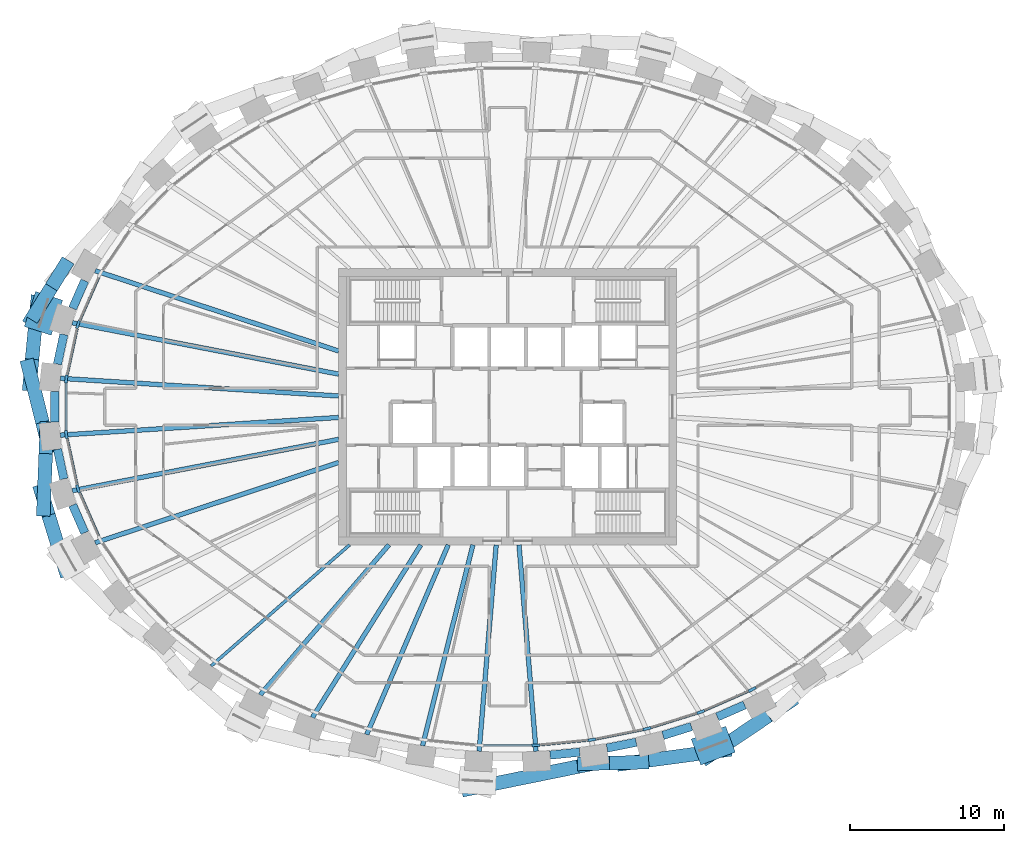
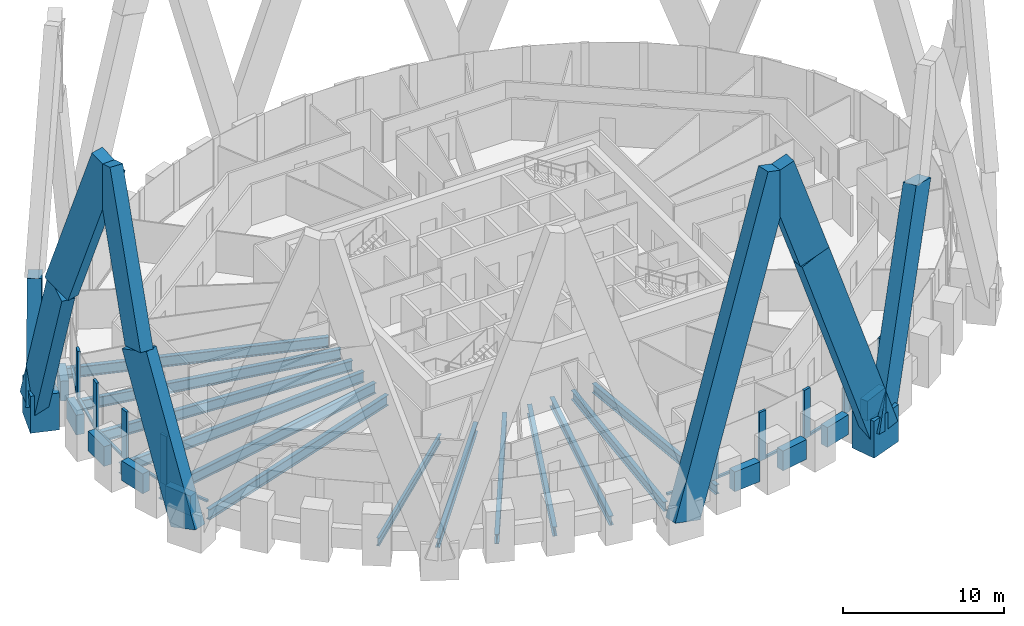
# One storey, part 2 of 13: 30 members, 22 beams, 1 element without a shape of its own.
"""IFC4 building model written with IfcOpenShell, lengths in metres."""

import ifcopenshell
import ifcopenshell.guid

model = None  # the IFC model being written
_history = None  # IfcOwnerHistory: only IFC2X3 demands one
_inside = {}  # id of a spatial element -> (the spatial element, [elements in it])
_under = {}  # id of a project, library or spatial element -> (it, [spatial elements below it])
_declared = {}  # id of a project -> (the project, [libraries it declares])
_typed = {}  # id of a type object -> (the type object, [elements of that type])
_made_of = {}  # id of a material, layer set ... -> (it, [elements and type objects made of it])


def new_model(schema):
    """Start an empty IFC model of exactly this schema.

    Asked for "IFC4X3", IfcOpenShell would pick the latest addendum, in which some entities
    have other attributes; the version numbers below select the first issue.
    IFC2X3 requires an IfcOwnerHistory on every rooted entity: one is made here for all.
    """
    global model, _history
    if schema == "IFC4X3":
        model = ifcopenshell.file(schema_version=(4, 3, 0, 0))
    else:
        model = ifcopenshell.file(schema=schema)
    _inside.clear()
    _under.clear()
    _declared.clear()
    _typed.clear()
    _made_of.clear()
    _history = None
    if model.schema == "IFC2X3":
        org = make("IfcOrganization", Name="unknown")
        user = make(
            "IfcPersonAndOrganization",
            ThePerson=make("IfcPerson", FamilyName="unknown"),
            TheOrganization=org,
        )
        app = make(
            "IfcApplication",
            ApplicationDeveloper=org,
            Version="unknown",
            ApplicationFullName="unknown",
            ApplicationIdentifier="unknown",
        )
        _history = make(
            "IfcOwnerHistory",
            OwningUser=user,
            OwningApplication=app,
            ChangeAction="ADDED",
            CreationDate=0,
        )
    return model


def make(cls, **values):
    """One entity of the class cls with the attributes given. An attribute that is None is left unset."""
    return model.create_entity(
        cls, **{name: value for name, value in values.items() if value is not None}
    )


def rooted(cls, **values):
    """An entity with a GlobalId (a new one), such as an element, a storey or a relation."""
    return make(cls, GlobalId=ifcopenshell.guid.new(), OwnerHistory=_history, **values)


def si_unit(unit_type, name, prefix=None):
    """IfcSIUnit, for example si_unit("LENGTHUNIT", "METRE", prefix="MILLI")."""
    return make("IfcSIUnit", UnitType=unit_type, Prefix=prefix, Name=name)


def assignment(units):
    """IfcUnitAssignment: the units of a project."""
    return None if units is None else make("IfcUnitAssignment", Units=units)


def point(xyz):
    """IfcCartesianPoint."""
    return None if xyz is None else make("IfcCartesianPoint", Coordinates=xyz)


def direction(xyz):
    """IfcDirection."""
    return None if xyz is None else make("IfcDirection", DirectionRatios=xyz)


def frame(location, z_axis=None, x_axis=None):
    """IfcAxis2Placement3D, a coordinate frame: its origin and axes. An axis left out is left unset."""
    return make(
        "IfcAxis2Placement3D",
        Location=point(location),
        Axis=direction(z_axis),
        RefDirection=direction(x_axis),
    )


def frame_2d(location, x_axis=None):
    """IfcAxis2Placement2D, a coordinate frame in the plane: its origin and x axis."""
    return make(
        "IfcAxis2Placement2D", Location=point(location), RefDirection=direction(x_axis)
    )


def origin():
    """The frame at (0, 0, 0) with its axes left unset."""
    return frame((0.0, 0.0, 0.0))


def origin_2d():
    """The frame at (0, 0) in the plane with its x axis left unset."""
    return frame_2d((0.0, 0.0))


def place(relative_to, where):
    """IfcLocalPlacement: puts the frame where relative to a parent placement (None: the world)."""
    return make(
        "IfcLocalPlacement", PlacementRelTo=relative_to, RelativePlacement=where
    )


def context(
    kind, dimensions, precision=None, world=None, true_north=None, identifier=None
):
    """IfcGeometricRepresentationContext, for example the 3D "Model" context."""
    return make(
        "IfcGeometricRepresentationContext",
        ContextIdentifier=identifier,
        ContextType=kind,
        CoordinateSpaceDimension=dimensions,
        Precision=precision,
        WorldCoordinateSystem=world,
        TrueNorth=true_north,
    )


def subcontext(parent, identifier, kind, view, scale=None):
    """IfcGeometricRepresentationSubContext, for example "Body" below "Model"."""
    return make(
        "IfcGeometricRepresentationSubContext",
        ContextIdentifier=identifier,
        ContextType=kind,
        ParentContext=parent,
        TargetScale=scale,
        TargetView=view,
    )


def project(units=None, contexts=None):
    """IfcProject with its units and contexts."""
    return rooted(
        "IfcProject",
        Name="project",
        RepresentationContexts=contexts,
        UnitsInContext=assignment(units),
    )


def spatial(cls, under=None, at=None, **own):
    """A site, building, storey or space (cls), placed at a placement, below another one or the project."""
    s = rooted(cls, ObjectPlacement=at, **own)
    if under is not None:
        _under.setdefault(under.id(), (under, []))[1].append(s)
    return s


def profile(cls, at=None, kind="AREA", **sizes):
    """A parametric profile (cls). Its sizes go by their IFC names, for example OverallWidth=200.0."""
    return make(cls, ProfileType=kind, Position=at, **sizes)


def rectangle(**sizes):
    """IfcRectangleProfileDef."""
    return profile("IfcRectangleProfileDef", **sizes)


def i_section(**sizes):
    """IfcIShapeProfileDef."""
    return profile("IfcIShapeProfileDef", **sizes)


def extrude(swept, where, along, depth):
    """IfcExtrudedAreaSolid: the profile swept, set in the frame where, extruded along a direction by depth."""
    return make(
        "IfcExtrudedAreaSolid",
        SweptArea=swept,
        Position=where,
        ExtrudedDirection=direction(along),
        Depth=depth,
    )


def shape(context_of_items, identifier, shape_type, items):
    """IfcShapeRepresentation: the items that make up one representation, for example the "Body"."""
    return make(
        "IfcShapeRepresentation",
        ContextOfItems=context_of_items,
        RepresentationIdentifier=identifier,
        RepresentationType=shape_type,
        Items=items,
    )


def source(mapping_origin, context_of_items, identifier, shape_type, items):
    """IfcRepresentationMap: a shape defined once, which mapped items show again and again."""
    return make(
        "IfcRepresentationMap",
        MappingOrigin=mapping_origin,
        MappedRepresentation=shape(context_of_items, identifier, shape_type, items),
    )


def transform(
    local_origin,
    x_axis=None,
    y_axis=None,
    z_axis=None,
    scale=None,
    scale2=None,
    scale3=None,
    uniform=True,
):
    """IfcCartesianTransformationOperator3D, or its non-uniform kind. x_axis, y_axis, z_axis: its Axis1, 2, 3."""
    if uniform:
        return make(
            "IfcCartesianTransformationOperator3D",
            Axis1=direction(x_axis),
            Axis2=direction(y_axis),
            LocalOrigin=point(local_origin),
            Scale=scale,
            Axis3=direction(z_axis),
        )
    return make(
        "IfcCartesianTransformationOperator3DnonUniform",
        Axis1=direction(x_axis),
        Axis2=direction(y_axis),
        LocalOrigin=point(local_origin),
        Scale=scale,
        Axis3=direction(z_axis),
        Scale2=scale2,
        Scale3=scale3,
    )


def mapped(mapping_source, mapping_target):
    """IfcMappedItem: shows the shape of a source again, moved by a transform."""
    return make(
        "IfcMappedItem", MappingSource=mapping_source, MappingTarget=mapping_target
    )


def material(Name=None, Category=None):
    """IfcMaterial."""
    return make("IfcMaterial", Name=Name, Category=Category)


def material_profile(
    of_material, cross_section, Name=None, Category=None, Priority=None
):
    """IfcMaterialProfile: a cross section and its material."""
    return make(
        "IfcMaterialProfile",
        Name=Name,
        Material=of_material,
        Profile=cross_section,
        Priority=Priority,
        Category=Category,
    )


def profile_set(profiles, Name=None, composite=None):
    """IfcMaterialProfileSet."""
    return make(
        "IfcMaterialProfileSet",
        Name=Name,
        MaterialProfiles=profiles,
        CompositeProfile=composite,
    )


def made_of(thing, what):
    """Note that an element or type object is made of a material, layer set ...; save() writes the relation."""
    if what is not None:
        _made_of.setdefault(what.id(), (what, []))[1].append(thing)
    return thing


def type_object(cls, material=None, **own):
    """A type object (cls), such as IfcWallType, which elements share."""
    return made_of(rooted(cls, **own), material)


def element(
    cls,
    number,
    at=None,
    inside=None,
    cuts=None,
    type_object=None,
    material=None,
    context=None,
    identifier="Body",
    shape_type=None,
    held_by="IfcProductDefinitionShape",
    body=None,
    shapes=None,
    **own,
):
    """One element of the class cls, such as IfcWall. Its Tag is "e" and its number.

    at: its placement. inside: the storey or other place that contains it. cuts: it is an
    opening in that element (IfcRelVoidsElement). A single representation is given by context,
    identifier, shape_type and body (its items); several are given by shapes. held_by: the class
    of the entity that holds the representations. save() writes the other relations.
    """
    e = rooted(cls, Tag="e%d" % number, ObjectPlacement=at, **own)
    if body is not None:
        shapes = [shape(context, identifier, shape_type, body)]
    if shapes is not None:
        e.Representation = make(held_by, Representations=shapes)
    if inside is not None:
        _inside.setdefault(inside.id(), (inside, []))[1].append(e)
    if cuts is not None:
        rooted(
            "IfcRelVoidsElement", RelatingBuildingElement=cuts, RelatedOpeningElement=e
        )
    if type_object is not None:
        _typed.setdefault(type_object.id(), (type_object, []))[1].append(e)
    return made_of(e, material)


def aggregate(whole, parts):
    """IfcRelAggregates: a whole, such as a stair, and the parts it consists of."""
    return rooted("IfcRelAggregates", RelatingObject=whole, RelatedObjects=parts)


def save(model, path):
    """Write the relations noted so far, then the file.

    IfcRelAggregates (storeys below a building ...), IfcRelContainedInSpatialStructure (elements
    in a storey), IfcRelDefinesByType, IfcRelAssociatesMaterial and IfcRelDeclares: one each for
    every whole, place, type object, material and project.
    """
    for whole, parts in _under.values():
        aggregate(whole, parts)
    for where, things in _inside.values():
        rooted(
            "IfcRelContainedInSpatialStructure",
            RelatedElements=things,
            RelatingStructure=where,
        )
    for kind, things in _typed.values():
        rooted("IfcRelDefinesByType", RelatedObjects=things, RelatingType=kind)
    for what, things in _made_of.values():
        rooted("IfcRelAssociatesMaterial", RelatedObjects=things, RelatingMaterial=what)
    for by, libraries in _declared.values():
        rooted("IfcRelDeclares", RelatingContext=by, RelatedDefinitions=libraries)
    model.write(path)


model = new_model("IFC4")

# Units and contexts
model_context = context("Model", 3, precision=1e-05, world=origin(), true_north=direction((0.0, 1.0)))
body_context = subcontext(model_context, "Body", "Model", "MODEL_VIEW")
ifc_project = project(units=[si_unit("LENGTHUNIT", "METRE"), si_unit("AREAUNIT", "SQUARE_METRE"), si_unit("VOLUMEUNIT", "CUBIC_METRE"), si_unit("PLANEANGLEUNIT", "RADIAN"), si_unit("MASSUNIT", "GRAM", prefix="KILO")], contexts=[model_context])

# Site, building, storey
site_placement = place(None, origin())
site = spatial("IfcSite", under=ifc_project, at=site_placement, CompositionType="ELEMENT")
building_placement = place(site_placement, origin())
building = spatial("IfcBuilding", under=site, at=building_placement, Name="Embergate Tower", CompositionType="ELEMENT")
storey_placement = place(building_placement, frame((0.0, 0.0, 316.89990234375)))
storey = spatial("IfcBuildingStorey", under=building, at=storey_placement, Name="L74", CompositionType="ELEMENT", Elevation=316.89990234375)

# Beams
ifc_material_1 = material(Name="Concrete C50", Category="concrete")
ifc_material_profile_1 = material_profile(ifc_material_1, rectangle(XDim=0.550048828125, YDim=1.5, at=origin_2d()), Name="RC 550x1500")
ifc_profile_set_1 = profile_set([ifc_material_profile_1], Name="Concrete C50")
beam_type_1 = type_object("IfcBeamType", Name="Spandrel beam RC 550x1500 C50", PredefinedType="BEAM", material=ifc_profile_set_1)
shared_shape_1 = source(origin(), body_context, "Body", "SweptSolid", [
    extrude(rectangle(XDim=0.550048828125, YDim=1.5, at=origin_2d()), origin(), (0.0, 0.0, 1.0), 1.970947265625),
])
for number, where, z_axis, x_axis, name in (
    (1, (-28.908935546875, 4.702880859375, 0.0), (-0.210078905476, -0.977684434505, 0.0), (0.977684434505, -0.210078905476, 0.0), "SPN-L74-20"),
    (2, (-29.322998046875, -2.77587890625, 0.0), (0.210078905476, -0.977684434505, 0.0), (0.977684434505, 0.210078905476, 0.0), "SPN-L74-22"),
):
    element("IfcBeam", number, at=place(storey_placement, frame(where, z_axis=z_axis, x_axis=x_axis)), inside=storey, type_object=beam_type_1, Name=name, PredefinedType="BEAM", context=body_context, shape_type="MappedRepresentation", body=[
        mapped(shared_shape_1, transform((0.0, 0.0, 0.0))),
    ])
shared_shape_2 = source(origin(), body_context, "Body", "SweptSolid", [
    extrude(rectangle(XDim=0.550048828125, YDim=1.5, at=origin_2d()), origin(), (0.0, 0.0, 1.0), 1.96435546875),
])
for number, where, z_axis, x_axis, name in (
    (3, (-27.547119140625, 8.2080078125, 0.0), (-0.401555432353, -0.915834720213, 0.0), (0.915834720213, -0.401555432353, 0.0), "SPN-L74-19"),
    (4, (-28.3359375, -6.408935546875, 0.0), (0.401555432353, -0.915834720213, 0.0), (0.915834720213, 0.401555432353, 0.0), "SPN-L74-23"),
):
    element("IfcBeam", number, at=place(storey_placement, frame(where, z_axis=z_axis, x_axis=x_axis)), inside=storey, type_object=beam_type_1, Name=name, PredefinedType="BEAM", context=body_context, shape_type="MappedRepresentation", body=[
        mapped(shared_shape_2, transform((0.0, 0.0, 0.0))),
    ])
shared_shape_3 = source(origin(), body_context, "Body", "SweptSolid", [
    extrude(rectangle(XDim=0.550048828125, YDim=1.5, at=origin_2d()), origin(), (0.0, 0.0, 1.0), 1.943603515625),
])
beam_1_placement = place(storey_placement, frame((13.660888671875, -20.205078125, 0.0), z_axis=(0.916367666651, 0.400337731818, 0.0), x_axis=(-0.400337731818, 0.916367666651, 0.0)))
element("IfcBeam", 5, at=beam_1_placement, inside=storey, type_object=beam_type_1, Name="SPN-L74-36", PredefinedType="BEAM", context=body_context, shape_type="MappedRepresentation", body=[
    mapped(shared_shape_3, transform((0.0, 0.0, 0.0))),
])
shared_shape_4 = source(origin(), body_context, "Body", "SweptSolid", [
    extrude(rectangle(XDim=0.550048828125, YDim=1.5, at=origin_2d()), origin(), (0.0, 0.0, 1.0), 1.940673828125),
])
beam_2_placement = place(storey_placement, frame((10.1220703125, -21.410888671875, 0.0), z_axis=(0.954797285525, 0.297257705625, 0.0), x_axis=(-0.297257705625, 0.954797285525, 0.0)))
element("IfcBeam", 6, at=beam_2_placement, inside=storey, type_object=beam_type_1, Name="SPN-L74-35", PredefinedType="BEAM", context=body_context, shape_type="MappedRepresentation", body=[
    mapped(shared_shape_4, transform((0.0, 0.0, 0.0))),
])
shared_shape_5 = source(origin(), body_context, "Body", "SweptSolid", [
    extrude(rectangle(XDim=0.550048828125, YDim=1.5, at=origin_2d()), origin(), (0.0, 0.0, 1.0), 1.93994140625),
])
beam_3_placement = place(storey_placement, frame((6.47607421875, -22.238037109375, 0.0), z_axis=(0.980410889527, 0.1969631633, 0.0), x_axis=(-0.1969631633, 0.980410889527, 0.0)))
element("IfcBeam", 7, at=beam_3_placement, inside=storey, type_object=beam_type_1, Name="SPN-L74-34", PredefinedType="BEAM", context=body_context, shape_type="MappedRepresentation", body=[
    mapped(shared_shape_5, transform((0.0, 0.0, 0.0))),
])
shared_shape_6 = source(origin(), body_context, "Body", "SweptSolid", [
    extrude(rectangle(XDim=0.550048828125, YDim=1.5, at=origin_2d()), origin(), (0.0, 0.0, 1.0), 1.938232421875),
])
beam_4_placement = place(storey_placement, frame((2.76708984375, -22.693115234375, 0.0), z_axis=(0.995174653714, 0.098119358973, 0.0), x_axis=(-0.098119358973, 0.995174653714, 0.0)))
element("IfcBeam", 8, at=beam_4_placement, inside=storey, type_object=beam_type_1, Name="SPN-L74-33", PredefinedType="BEAM", context=body_context, shape_type="MappedRepresentation", body=[
    mapped(shared_shape_6, transform((0.0, 0.0, 0.0))),
])
shared_shape_7 = source(origin(), body_context, "Body", "SweptSolid", [
    extrude(rectangle(XDim=0.550048828125, YDim=1.5, at=origin_2d()), origin(), (0.0, 0.0, 1.0), 1.97216796875),
])
beam_5_placement = place(storey_placement, frame((-29.513916015625, 0.986083984375, 0.0), z_axis=(0.0, -1.0, 0.0), x_axis=(1.0, 0.0, 0.0)))
element("IfcBeam", 9, at=beam_5_placement, inside=storey, type_object=beam_type_1, Name="SPN-L74-21", PredefinedType="BEAM", context=body_context, shape_type="MappedRepresentation", body=[
    mapped(shared_shape_7, transform((0.0, 0.0, 0.0))),
])
ifc_material_2 = material(Name="Steel Q355B", Category="steel")
ifc_material_profile_2 = material_profile(ifc_material_2, i_section(OverallWidth=0.300048828125, OverallDepth=0.800048828125, WebThickness=0.013916015625, FlangeThickness=0.02587890625, FilletRadius=0.028076171875, at=origin_2d()), Name="HN 800x300x14x26")
ifc_profile_set_2 = profile_set([ifc_material_profile_2], Name="Steel Q355 grade B")
beam_type_2 = type_object("IfcBeamType", Name="Radial girder HN 800x300x14x26", PredefinedType="BEAM", material=ifc_profile_set_2)
shared_shape_8 = source(origin(), body_context, "Body", "SweptSolid", [
    extrude(i_section(OverallWidth=0.300048828125, OverallDepth=0.800048828125, WebThickness=0.013916015625, FlangeThickness=0.02587890625, FilletRadius=0.028076171875, at=origin_2d()), origin(), (0.0, 0.0, 1.0), 18.175537109375),
])
for number, where, z_axis, x_axis, name in (
    (10, (-29.138916015625, 1.85107421875, -0.599853515625), (0.997988982715, -0.063387620085, 0.0), (0.063387620085, 0.997988982715, 0.0), "GIR-L74-21"),
    (11, (-29.138916015625, -1.85107421875, -0.599853515625), (0.997988982715, 0.063387620085, 0.0), (-0.063387620085, 0.997988982715, 0.0), "GIR-L74-22"),
):
    element("IfcBeam", number, at=place(storey_placement, frame(where, z_axis=z_axis, x_axis=x_axis)), inside=storey, type_object=beam_type_2, Name=name, PredefinedType="BEAM", context=body_context, shape_type="MappedRepresentation", body=[
        mapped(shared_shape_8, transform((0.0, 0.0, 0.0))),
    ])
shared_shape_9 = source(origin(), body_context, "Body", "SweptSolid", [
    extrude(i_section(OverallWidth=0.300048828125, OverallDepth=0.800048828125, WebThickness=0.013916015625, FlangeThickness=0.02587890625, FilletRadius=0.028076171875, at=origin_2d()), origin(), (0.0, 0.0, 1.0), 17.68017578125),
])
for number, where, z_axis, x_axis, name in (
    (12, (-28.360107421875, 5.470947265625, -0.599853515625), (0.981897251482, -0.189414327683, 0.0), (0.189414327683, 0.981897251482, 0.0), "GIR-L74-20"),
    (13, (-28.360107421875, -5.470947265625, -0.599853515625), (0.981897251482, 0.189414327683, 0.0), (-0.189414327683, 0.981897251482, 0.0), "GIR-L74-23"),
):
    element("IfcBeam", number, at=place(storey_placement, frame(where, z_axis=z_axis, x_axis=x_axis)), inside=storey, type_object=beam_type_2, Name=name, PredefinedType="BEAM", context=body_context, shape_type="MappedRepresentation", body=[
        mapped(shared_shape_9, transform((0.0, 0.0, 0.0))),
    ])
shared_shape_10 = source(origin(), body_context, "Body", "SweptSolid", [
    extrude(i_section(OverallWidth=0.300048828125, OverallDepth=0.800048828125, WebThickness=0.013916015625, FlangeThickness=0.02587890625, FilletRadius=0.028076171875, at=origin_2d()), origin(), (0.0, 0.0, 1.0), 16.713134765625),
])
for number, where, z_axis, x_axis, name in (
    (14, (-26.8720703125, 8.863037109375, -0.599853515625), (0.949676282781, -0.313233072843, 0.0), (0.313233072843, 0.949676282781, 0.0), "GIR-L74-19"),
    (15, (-26.8720703125, -8.863037109375, -0.599853515625), (0.949676282781, 0.313233072843, 0.0), (-0.313233072843, 0.949676282781, 0.0), "GIR-L74-24"),
):
    element("IfcBeam", number, at=place(storey_placement, frame(where, z_axis=z_axis, x_axis=x_axis)), inside=storey, type_object=beam_type_2, Name=name, PredefinedType="BEAM", context=body_context, shape_type="MappedRepresentation", body=[
        mapped(shared_shape_10, transform((0.0, 0.0, 0.0))),
    ])
ifc_material_profile_3 = material_profile(ifc_material_2, i_section(OverallWidth=0.199951171875, OverallDepth=0.60009765625, WebThickness=0.010986328125, FlangeThickness=0.01708984375, FilletRadius=0.012939453125, at=origin_2d()), Name="HN 600x200x11x17")
ifc_profile_set_3 = profile_set([ifc_material_profile_3], Name="Steel Q355 grade B")
beam_type_3 = type_object("IfcBeamType", Name="Radial girder HN 600x200x11x17", PredefinedType="BEAM", material=ifc_profile_set_3)
shared_shape_11 = source(origin(), body_context, "Body", "SweptSolid", [
    extrude(i_section(OverallWidth=0.199951171875, OverallDepth=0.60009765625, WebThickness=0.010986328125, FlangeThickness=0.01708984375, FilletRadius=0.012939453125, at=origin_2d()), origin(), (0.0, 0.0, 1.0), 11.982421875),
])
beam_6_placement = place(storey_placement, frame((-19.31103515625, -16.887939453125, -0.5), z_axis=(0.752765986621, 0.65828821149, 0.0), x_axis=(-0.65828821149, 0.752765986621, 0.0)))
element("IfcBeam", 16, at=beam_6_placement, inside=storey, type_object=beam_type_3, Name="GIR-L74-27", PredefinedType="BEAM", context=body_context, shape_type="MappedRepresentation", body=[
    mapped(shared_shape_11, transform((0.0, 0.0, 0.0))),
])
ifc_material_profile_4 = material_profile(ifc_material_2, i_section(OverallWidth=0.300048828125, OverallDepth=0.699951171875, WebThickness=0.012939453125, FlangeThickness=0.02392578125, FilletRadius=0.01806640625, at=origin_2d()), Name="HN 700x300x13x24")
ifc_profile_set_4 = profile_set([ifc_material_profile_4], Name="Steel Q355 grade B")
beam_type_4 = type_object("IfcBeamType", Name="Radial girder HN 700x300x13x24", PredefinedType="BEAM", material=ifc_profile_set_4)
shared_shape_12 = source(origin(), body_context, "Body", "SweptSolid", [
    extrude(i_section(OverallWidth=0.300048828125, OverallDepth=0.699951171875, WebThickness=0.012939453125, FlangeThickness=0.02392578125, FilletRadius=0.01806640625, at=origin_2d()), origin(), (0.0, 0.0, 1.0), 12.873779296875),
])
beam_7_placement = place(storey_placement, frame((-16.115966796875, -18.76708984375, -0.5498046875), z_axis=(0.65147047054, 0.758673991919, 0.0), x_axis=(-0.758673991919, 0.65147047054, 0.0)))
element("IfcBeam", 17, at=beam_7_placement, inside=storey, type_object=beam_type_4, Name="GIR-L74-28", PredefinedType="BEAM", context=body_context, shape_type="MappedRepresentation", body=[
    mapped(shared_shape_12, transform((0.0, 0.0, 0.0))),
])
shared_shape_13 = source(origin(), body_context, "Body", "SweptSolid", [
    extrude(i_section(OverallWidth=0.300048828125, OverallDepth=0.699951171875, WebThickness=0.012939453125, FlangeThickness=0.02392578125, FilletRadius=0.01806640625, at=origin_2d()), origin(), (0.0, 0.0, 1.0), 13.287109375),
])
beam_8_placement = place(storey_placement, frame((-12.718994140625, -20.251953125, -0.5498046875), z_axis=(0.531860684771, 0.846831867607, 0.0), x_axis=(-0.846831867607, 0.531860684771, 0.0)))
element("IfcBeam", 18, at=beam_8_placement, inside=storey, type_object=beam_type_4, Name="GIR-L74-29", PredefinedType="BEAM", context=body_context, shape_type="MappedRepresentation", body=[
    mapped(shared_shape_13, transform((0.0, 0.0, 0.0))),
])
shared_shape_14 = source(origin(), body_context, "Body", "SweptSolid", [
    extrude(i_section(OverallWidth=0.300048828125, OverallDepth=0.699951171875, WebThickness=0.012939453125, FlangeThickness=0.02392578125, FilletRadius=0.01806640625, at=origin_2d()), origin(), (0.0, 0.0, 1.0), 13.44677734375),
])
beam_9_placement = place(storey_placement, frame((-9.178955078125, -21.35400390625, -0.5498046875), z_axis=(0.39489198658, 0.918727554248, 0.0), x_axis=(-0.918727554248, 0.39489198658, 0.0)))
element("IfcBeam", 19, at=beam_9_placement, inside=storey, type_object=beam_type_4, Name="GIR-L74-30", PredefinedType="BEAM", context=body_context, shape_type="MappedRepresentation", body=[
    mapped(shared_shape_14, transform((0.0, 0.0, 0.0))),
])
shared_shape_15 = source(origin(), body_context, "Body", "SweptSolid", [
    extrude(i_section(OverallWidth=0.300048828125, OverallDepth=0.699951171875, WebThickness=0.012939453125, FlangeThickness=0.02392578125, FilletRadius=0.01806640625, at=origin_2d()), origin(), (0.0, 0.0, 1.0), 13.48876953125),
])
beam_10_placement = place(storey_placement, frame((-5.54296875, -22.0830078125, -0.5498046875), z_axis=(0.243455392771, 0.969912094847, 0.0), x_axis=(-0.969912094847, 0.243455392771, 0.0)))
element("IfcBeam", 20, at=beam_10_placement, inside=storey, type_object=beam_type_4, Name="GIR-L74-31", PredefinedType="BEAM", context=body_context, shape_type="MappedRepresentation", body=[
    mapped(shared_shape_15, transform((0.0, 0.0, 0.0))),
])
shared_shape_16 = source(origin(), body_context, "Body", "SweptSolid", [
    extrude(i_section(OverallWidth=0.300048828125, OverallDepth=0.699951171875, WebThickness=0.012939453125, FlangeThickness=0.02392578125, FilletRadius=0.01806640625, at=origin_2d()), origin(), (0.0, 0.0, 1.0), 13.49169921875),
])
for number, where, z_axis, x_axis, name in (
    (21, (-1.85400390625, -22.446044921875, -0.5498046875), (0.082280203241, 0.996609235435, 0.0), (-0.996609235435, 0.082280203241, 0.0), "GIR-L74-32"),
    (22, (1.85400390625, -22.446044921875, -0.5498046875), (-0.082280203241, 0.996609235435, 0.0), (-0.996609235435, -0.082280203241, 0.0), "GIR-L74-33"),
):
    element("IfcBeam", number, at=place(storey_placement, frame(where, z_axis=z_axis, x_axis=x_axis)), inside=storey, type_object=beam_type_4, Name=name, PredefinedType="BEAM", context=body_context, shape_type="MappedRepresentation", body=[
        mapped(shared_shape_16, transform((0.0, 0.0, 0.0))),
    ])

# Members
ifc_material_3 = material(Name="Concrete C70", Category="concrete")
ifc_material_profile_5 = material_profile(ifc_material_3, rectangle(XDim=1.800048828125, YDim=2.39990234375, at=origin_2d()), Name="RC 1800x2400")
ifc_profile_set_5 = profile_set([ifc_material_profile_5], Name="Concrete C70")
member_type_1 = type_object("IfcMemberType", Name="Lattice node block RC 1800x2400", PredefinedType="POST", material=ifc_profile_set_5)
shared_shape_17 = source(origin(), body_context, "Body", "SweptSolid", [
    extrude(rectangle(XDim=1.800048828125, YDim=2.39990234375, at=origin_2d()), origin(), (0.0, 0.0, 1.0), 2.800048828125),
])
member_1_placement = place(storey_placement, frame((13.39794921875, -22.0791015625, -1.39990234375), z_axis=(0.0, 0.0, 1.0), x_axis=(0.348343015724, -0.93736713373, 0.0)))
element("IfcMember", 23, at=member_1_placement, inside=storey, type_object=member_type_1, Name="NOD-L74-36", PredefinedType="POST", context=body_context, shape_type="MappedRepresentation", body=[
    mapped(shared_shape_17, transform((0.0, 0.0, 0.0))),
])
ifc_material_profile_6 = material_profile(ifc_material_3, rectangle(XDim=1.85009765625, YDim=2.39990234375, at=origin_2d()), Name="RC 1850x2400")
ifc_profile_set_6 = profile_set([ifc_material_profile_6], Name="Concrete C70")
member_type_2 = type_object("IfcMemberType", Name="Lattice node block RC 1850x2400", PredefinedType="POST", material=ifc_profile_set_6)
shared_shape_18 = source(origin(), body_context, "Body", "SweptSolid", [
    extrude(rectangle(XDim=1.85009765625, YDim=2.39990234375, at=origin_2d()), origin(), (0.0, 0.0, 1.0), 2.800048828125),
])
member_2_placement = place(storey_placement, frame((-30.238037109375, 6.0830078125, -1.39990234375), z_axis=(0.0, 0.0, 1.0), x_axis=(-0.950754033697, 0.309946394413, 0.0)))
element("IfcMember", 24, at=member_2_placement, inside=storey, type_object=member_type_2, Name="NOD-L74-20", PredefinedType="POST", context=body_context, shape_type="MappedRepresentation", body=[
    mapped(shared_shape_18, transform((0.0, 0.0, 0.0))),
])
ifc_material_profile_7 = material_profile(ifc_material_3, rectangle(XDim=0.89990234375, YDim=2.199951171875, at=origin_2d()), Name="RC 900x2200")
ifc_profile_set_7 = profile_set([ifc_material_profile_7], Name="Concrete C70")
member_type_3 = type_object("IfcMemberType", Name="Lattice diagonal terracotta-faced RC 900x2200", PredefinedType="BRACE", material=ifc_profile_set_7)
shared_shape_19 = source(origin(), body_context, "Body", "SweptSolid", [
    extrude(rectangle(XDim=0.89990234375, YDim=2.199951171875, at=origin_2d()), origin(), (0.0, 0.0, 1.0), 8.308349609375),
])
member_3_placement = place(storey_placement, frame((-30.681884765625, 6.22802734375, 0.0), z_axis=(0.181715623135, 0.292584485697, 0.938815078191), x_axis=(-0.849495132863, 0.527596454918, 0.0)))
element("IfcMember", 25, at=member_3_placement, inside=storey, type_object=member_type_3, Name="BRC-L74-20-18-S00", PredefinedType="BRACE", context=body_context, shape_type="MappedRepresentation", body=[
    mapped(shared_shape_19, transform((0.0, 0.0, 0.0))),
])
shared_shape_20 = source(origin(), body_context, "Body", "SweptSolid", [
    extrude(rectangle(XDim=0.89990234375, YDim=2.199951171875, at=origin_2d()), origin(), (0.0, 0.0, 1.0), 12.284423828125),
])
member_4_placement = place(storey_placement, frame((-30.681884765625, 6.22802734375, 0.0), z_axis=(-0.032156114157, -0.339050251868, 0.940218544292), x_axis=(0.995532637946, -0.094418042684, 0.0)))
element("IfcMember", 26, at=member_4_placement, inside=storey, type_object=member_type_3, Name="BRC-L74-20-22-S00", PredefinedType="BRACE", context=body_context, shape_type="MappedRepresentation", body=[
    mapped(shared_shape_20, transform((0.0, 0.0, 0.0))),
])
shared_shape_21 = source(origin(), body_context, "Body", "SweptSolid", [
    extrude(rectangle(XDim=0.89990234375, YDim=2.199951171875, at=origin_2d()), origin(), (0.0, 0.0, 1.0), 12.292724609375),
])
member_5_placement = place(storey_placement, frame((-31.076904296875, 2.06298828125, 11.550048828125), z_axis=(0.083454156133, -0.331989451196, 0.939584167661), x_axis=(0.969827707826, 0.243791339333, 0.0)))
element("IfcMember", 27, at=member_5_placement, inside=storey, type_object=member_type_3, Name="BRC-L74-20-22-S01", PredefinedType="BRACE", context=body_context, shape_type="MappedRepresentation", body=[
    mapped(shared_shape_21, transform((0.0, 0.0, 0.0))),
])
shared_shape_22 = source(origin(), body_context, "Body", "SweptSolid", [
    extrude(rectangle(XDim=0.89990234375, YDim=2.199951171875, at=origin_2d()), origin(), (0.0, 0.0, 1.0), 12.269287109375),
])
member_6_placement = place(storey_placement, frame((-28.991943359375, -10.04296875, 0.0), z_axis=(-0.099194182758, 0.322435814928, 0.941379657396), x_axis=(-0.955793036501, -0.294040254687, 0.0)))
element("IfcMember", 28, at=member_6_placement, inside=storey, type_object=member_type_3, Name="BRC-L74-24-22-S00", PredefinedType="BRACE", context=body_context, shape_type="MappedRepresentation", body=[
    mapped(shared_shape_22, transform((0.0, 0.0, 0.0))),
])
shared_shape_23 = source(origin(), body_context, "Body", "SweptSolid", [
    extrude(rectangle(XDim=0.89990234375, YDim=2.199951171875, at=origin_2d()), origin(), (0.0, 0.0, 1.0), 12.246826171875),
])
member_7_placement = place(storey_placement, frame((-30.208984375, -6.0869140625, 11.550048828125), z_axis=(0.012897980668, 0.332237628779, 0.943107523095), x_axis=(-0.999247294219, 0.038792331655, 0.0)))
element("IfcMember", 29, at=member_7_placement, inside=storey, type_object=member_type_3, Name="BRC-L74-24-22-S01", PredefinedType="BRACE", context=body_context, shape_type="MappedRepresentation", body=[
    mapped(shared_shape_23, transform((0.0, 0.0, 0.0))),
])
shared_shape_24 = source(origin(), body_context, "Body", "SweptSolid", [
    extrude(rectangle(XDim=0.89990234375, YDim=2.199951171875, at=origin_2d()), origin(), (0.0, 0.0, 1.0), 24.354736328125),
])
member_8_placement = place(storey_placement, frame((-1.968017578125, -24.780029296875, 0.0), z_axis=(0.310454588404, 0.063193597846, 0.948485380873), x_axis=(-0.199461582157, 0.979905647113, 0.0)))
element("IfcMember", 30, at=member_8_placement, inside=storey, type_object=member_type_3, Name="BRC-L74-32-34-S00", PredefinedType="BRACE", context=body_context, shape_type="MappedRepresentation", body=[
    mapped(shared_shape_24, transform((0.0, 0.0, 0.0))),
])
shared_shape_25 = source(origin(), body_context, "Body", "SweptSolid", [
    extrude(rectangle(XDim=0.89990234375, YDim=2.199951171875, at=origin_2d()), origin(), (0.0, 0.0, 1.0), 16.51806640625),
])
member_9_placement = place(storey_placement, frame((13.5380859375, -22.455078125, 0.0), z_axis=(-0.325828910397, -0.043586729724, 0.944423484535), x_axis=(0.132590741582, -0.991170870863, 0.0)))
element("IfcMember", 31, at=member_9_placement, inside=storey, type_object=member_type_3, Name="BRC-L74-36-34-S00", PredefinedType="BRACE", context=body_context, shape_type="MappedRepresentation", body=[
    mapped(shared_shape_25, transform((0.0, 0.0, 0.0))),
])
shared_shape_26 = source(origin(), body_context, "Body", "SweptSolid", [
    extrude(rectangle(XDim=0.89990234375, YDim=2.199951171875, at=origin_2d()), origin(), (0.0, 0.0, 1.0), 7.926025390625),
])
member_10_placement = place(storey_placement, frame((8.156005859375, -23.175048828125, 15.60009765625), z_axis=(-0.323360082061, -0.008316557645, 0.946239447602), x_axis=(0.025710682507, -0.999669425763, 0.0)))
element("IfcMember", 32, at=member_10_placement, inside=storey, type_object=member_type_3, Name="BRC-L74-36-34-S01", PredefinedType="BRACE", context=body_context, shape_type="MappedRepresentation", body=[
    mapped(shared_shape_26, transform((0.0, 0.0, 0.0))),
])
shared_shape_27 = source(origin(), body_context, "Body", "SweptSolid", [
    extrude(rectangle(XDim=0.89990234375, YDim=2.199951171875, at=origin_2d()), origin(), (0.0, 0.0, 1.0), 16.445556640625),
])
member_11_placement = place(storey_placement, frame((13.5380859375, -22.455078125, 0.0), z_axis=(0.262731742571, 0.176525209115, 0.948583618872), x_axis=(-0.557694623853, 0.830046207464, 0.0)))
element("IfcMember", 33, at=member_11_placement, inside=storey, type_object=member_type_3, Name="BRC-L74-36-38-S00", PredefinedType="BRACE", context=body_context, shape_type="MappedRepresentation", body=[
    mapped(shared_shape_27, transform((0.0, 0.0, 0.0))),
])

# Curtain wall, members
ifc_material_4 = material(Name="Aluminium and glass", Category="aluminium")
curtain_wall_type = type_object("IfcCurtainWallType", Name="Recessed office glazing", PredefinedType="NOTDEFINED", material=ifc_material_4)
curtain_wall_placement = place(storey_placement, origin())
curtain_wall = element("IfcCurtainWall", 34, at=curtain_wall_placement, inside=storey, type_object=curtain_wall_type, Name="Recessed office glazing ring", ObjectType="RECESSED OFFICE GLAZING", PredefinedType="USERDEFINED")
ifc_material_5 = material(Name="Aluminium, thermally broken", Category="aluminium")
ifc_material_profile_8 = material_profile(ifc_material_5, rectangle(XDim=0.179931640625, YDim=0.52001953125, at=origin_2d()), Name="AL 520x180")
ifc_profile_set_8 = profile_set([ifc_material_profile_8], Name="Aluminium, thermally broken")
member_type_4 = type_object("IfcMemberType", Name="Office mullion", PredefinedType="MULLION", material=ifc_profile_set_8)
shared_shape_28 = source(origin(), body_context, "Body", "SweptSolid", [
    extrude(rectangle(XDim=0.179931640625, YDim=0.52001953125, at=origin_2d()), origin(), (0.0, 0.0, 1.0), 3.7001953125),
])
member_12_placement = place(storey_placement, frame((-27.989013671875, 5.349853515625, 0.0), z_axis=(0.0, 0.0, 1.0), x_axis=(0.951491891254, -0.307673822216, 0.0)))
member_12 = element("IfcMember", 35, at=member_12_placement, type_object=member_type_4, Name="CW mullion 21", PredefinedType="MULLION", context=body_context, shape_type="MappedRepresentation", body=[
    mapped(shared_shape_28, transform((0.0, 0.0, 0.0))),
])
member_13_placement = place(storey_placement, frame((-28.7509765625, 1.809326171875, 0.0), z_axis=(0.0, 0.0, 1.0), x_axis=(0.994384031216, -0.105831934987, 0.0)))
member_13 = element("IfcMember", 36, at=member_13_placement, type_object=member_type_4, Name="CW mullion 22", PredefinedType="MULLION", context=body_context, shape_type="MappedRepresentation", body=[
    mapped(shared_shape_28, transform((0.0, 0.0, 0.0))),
])
member_14_placement = place(storey_placement, frame((-28.7509765625, -1.809326171875, 0.0), z_axis=(0.0, 0.0, 1.0), x_axis=(0.994384031216, 0.105831934987, 0.0)))
member_14 = element("IfcMember", 37, at=member_14_placement, type_object=member_type_4, Name="CW mullion 23", PredefinedType="MULLION", context=body_context, shape_type="MappedRepresentation", body=[
    mapped(shared_shape_28, transform((0.0, 0.0, 0.0))),
])
member_15_placement = place(storey_placement, frame((-27.989013671875, -5.349853515625, 0.0), z_axis=(0.0, 0.0, 1.0), x_axis=(0.951491891254, 0.307673822216, 0.0)))
member_15 = element("IfcMember", 38, at=member_15_placement, type_object=member_type_4, Name="CW mullion 24", PredefinedType="MULLION", context=body_context, shape_type="MappedRepresentation", body=[
    mapped(shared_shape_28, transform((0.0, 0.0, 0.0))),
])
member_16_placement = place(storey_placement, frame((1.834716796875, -22.05615234375, 0.0), z_axis=(0.0, 0.0, 1.0), x_axis=(-0.048971796621, 0.998800161762, 0.0)))
member_16 = element("IfcMember", 39, at=member_16_placement, type_object=member_type_4, Name="CW mullion 34", PredefinedType="MULLION", context=body_context, shape_type="MappedRepresentation", body=[
    mapped(shared_shape_28, transform((0.0, 0.0, 0.0))),
])
member_17_placement = place(storey_placement, frame((5.486328125, -21.697265625, 0.0), z_axis=(0.0, 0.0, 1.0), x_axis=(-0.147410656556, 0.989075375456, 0.0)))
member_17 = element("IfcMember", 40, at=member_17_placement, type_object=member_type_4, Name="CW mullion 35", PredefinedType="MULLION", context=body_context, shape_type="MappedRepresentation", body=[
    mapped(shared_shape_28, transform((0.0, 0.0, 0.0))),
])
member_18_placement = place(storey_placement, frame((9.082763671875, -20.97607421875, 0.0), z_axis=(0.0, 0.0, 1.0), x_axis=(-0.247310190257, 0.968936360034, 0.0)))
member_18 = element("IfcMember", 41, at=member_18_placement, type_object=member_type_4, Name="CW mullion 36", PredefinedType="MULLION", context=body_context, shape_type="MappedRepresentation", body=[
    mapped(shared_shape_28, transform((0.0, 0.0, 0.0))),
])
member_19_placement = place(storey_placement, frame((12.582763671875, -19.885986328125, 0.0), z_axis=(0.0, 0.0, 1.0), x_axis=(-0.349501047589, 0.936935973124, 0.0)))
member_19 = element("IfcMember", 42, at=member_19_placement, type_object=member_type_4, Name="CW mullion 37", PredefinedType="MULLION", context=body_context, shape_type="MappedRepresentation", body=[
    mapped(shared_shape_28, transform((0.0, 0.0, 0.0))),
])
member_20_placement = place(storey_placement, frame((15.9384765625, -18.418701171875, 0.0), z_axis=(0.0, 0.0, 1.0), x_axis=(-0.454506716612, 0.890743310138, 0.0)))
member_20 = element("IfcMember", 43, at=member_20_placement, type_object=member_type_4, Name="CW mullion 38", PredefinedType="MULLION", context=body_context, shape_type="MappedRepresentation", body=[
    mapped(shared_shape_28, transform((0.0, 0.0, 0.0))),
])
ifc_material_profile_9 = material_profile(ifc_material_5, rectangle(XDim=0.179931640625, YDim=0.14990234375, at=origin_2d()), Name="AL 150x180")
ifc_profile_set_9 = profile_set([ifc_material_profile_9], Name="Aluminium, thermally broken")
member_type_5 = type_object("IfcMemberType", Name="Office sill transom", PredefinedType="USERDEFINED", material=ifc_profile_set_9)
shared_shape_29 = source(origin(), body_context, "Body", "SweptSolid", [
    extrude(rectangle(XDim=0.179931640625, YDim=0.14990234375, at=origin_2d()), origin(), (0.0, 0.0, 1.0), 3.101318359375),
])
member_21_placement = place(storey_placement, frame((-28.043701171875, 5.095703125, 0.0751953125), z_axis=(-0.210416031857, -0.97761193402, 0.0), x_axis=(0.97761193402, -0.210416031857, 0.0)))
member_21 = element("IfcMember", 44, at=member_21_placement, type_object=member_type_5, Name="CW transom 21.1", ObjectType="TRANSOM", PredefinedType="USERDEFINED", context=body_context, shape_type="MappedRepresentation", body=[
    mapped(shared_shape_29, transform((0.0, 0.0, 0.0))),
])
member_22_placement = place(storey_placement, frame((-28.6962890625, -2.063720703125, 0.0751953125), z_axis=(0.210416031857, -0.97761193402, 0.0), x_axis=(0.97761193402, 0.210416031857, 0.0)))
member_22 = element("IfcMember", 45, at=member_22_placement, type_object=member_type_5, Name="CW transom 23.1", ObjectType="TRANSOM", PredefinedType="USERDEFINED", context=body_context, shape_type="MappedRepresentation", body=[
    mapped(shared_shape_29, transform((0.0, 0.0, 0.0))),
])
shared_shape_30 = source(origin(), body_context, "Body", "SweptSolid", [
    extrude(rectangle(XDim=0.179931640625, YDim=0.14990234375, at=origin_2d()), origin(), (0.0, 0.0, 1.0), 3.108154296875),
])
member_23_placement = place(storey_placement, frame((-26.63623046875, 8.434326171875, 0.0751953125), z_axis=(-0.401688075914, -0.915776550075, 0.0), x_axis=(0.915776550075, -0.401688075914, 0.0)))
member_23 = element("IfcMember", 46, at=member_23_placement, type_object=member_type_5, Name="CW transom 20.1", ObjectType="TRANSOM", PredefinedType="USERDEFINED", context=body_context, shape_type="MappedRepresentation", body=[
    mapped(shared_shape_30, transform((0.0, 0.0, 0.0))),
])
member_24_placement = place(storey_placement, frame((-27.884765625, -5.587890625, 0.0751953125), z_axis=(0.401688075914, -0.915776550075, 0.0), x_axis=(0.915776550075, 0.401688075914, 0.0)))
member_24 = element("IfcMember", 47, at=member_24_placement, type_object=member_type_5, Name="CW transom 24.1", ObjectType="TRANSOM", PredefinedType="USERDEFINED", context=body_context, shape_type="MappedRepresentation", body=[
    mapped(shared_shape_30, transform((0.0, 0.0, 0.0))),
])
shared_shape_31 = source(origin(), body_context, "Body", "SweptSolid", [
    extrude(rectangle(XDim=0.179931640625, YDim=0.14990234375, at=origin_2d()), origin(), (0.0, 0.0, 1.0), 3.142578125),
])
member_25_placement = place(storey_placement, frame((12.82080078125, -19.78173828125, 0.0751953125), z_axis=(0.916239332715, 0.400631358217, 0.0), x_axis=(-0.400631358217, 0.916239332715, 0.0)))
member_25 = element("IfcMember", 48, at=member_25_placement, type_object=member_type_5, Name="CW transom 37.1", ObjectType="TRANSOM", PredefinedType="USERDEFINED", context=body_context, shape_type="MappedRepresentation", body=[
    mapped(shared_shape_31, transform((0.0, 0.0, 0.0))),
])
shared_shape_32 = source(origin(), body_context, "Body", "SweptSolid", [
    extrude(rectangle(XDim=0.179931640625, YDim=0.14990234375, at=origin_2d()), origin(), (0.0, 0.0, 1.0), 3.145751953125),
])
member_26_placement = place(storey_placement, frame((9.3310546875, -20.898681640625, 0.0751953125), z_axis=(0.954775040365, 0.297329148077, 0.0), x_axis=(-0.297329148077, 0.954775040365, 0.0)))
member_26 = element("IfcMember", 49, at=member_26_placement, type_object=member_type_5, Name="CW transom 36.1", ObjectType="TRANSOM", PredefinedType="USERDEFINED", context=body_context, shape_type="MappedRepresentation", body=[
    mapped(shared_shape_32, transform((0.0, 0.0, 0.0))),
])
shared_shape_33 = source(origin(), body_context, "Body", "SweptSolid", [
    extrude(rectangle(XDim=0.179931640625, YDim=0.14990234375, at=origin_2d()), origin(), (0.0, 0.0, 1.0), 3.148193359375),
])
member_27_placement = place(storey_placement, frame((5.7412109375, -21.64599609375, 0.0751953125), z_axis=(0.980485111411, 0.19659335264, 0.0), x_axis=(-0.19659335264, 0.980485111411, 0.0)))
member_27 = element("IfcMember", 50, at=member_27_placement, type_object=member_type_5, Name="CW transom 35.1", ObjectType="TRANSOM", PredefinedType="USERDEFINED", context=body_context, shape_type="MappedRepresentation", body=[
    mapped(shared_shape_33, transform((0.0, 0.0, 0.0))),
])
shared_shape_34 = source(origin(), body_context, "Body", "SweptSolid", [
    extrude(rectangle(XDim=0.179931640625, YDim=0.14990234375, at=origin_2d()), origin(), (0.0, 0.0, 1.0), 3.149169921875),
])
member_28_placement = place(storey_placement, frame((2.093505859375, -22.03076171875, 0.0751953125), z_axis=(0.995202362026, 0.097837920143, 0.0), x_axis=(-0.097837920143, 0.995202362026, 0.0)))
member_28 = element("IfcMember", 51, at=member_28_placement, type_object=member_type_5, Name="CW transom 34.1", ObjectType="TRANSOM", PredefinedType="USERDEFINED", context=body_context, shape_type="MappedRepresentation", body=[
    mapped(shared_shape_34, transform((0.0, 0.0, 0.0))),
])
shared_shape_35 = source(origin(), body_context, "Body", "SweptSolid", [
    extrude(rectangle(XDim=0.179931640625, YDim=0.14990234375, at=origin_2d()), origin(), (0.0, 0.0, 1.0), 3.1494140625),
])
member_29_placement = place(storey_placement, frame((-1.57470703125, -22.05615234375, 0.0751953125), z_axis=(1.0, 0.0, 0.0), x_axis=(0.0, 1.0, 0.0)))
member_29 = element("IfcMember", 52, at=member_29_placement, type_object=member_type_5, Name="CW transom 33.1", ObjectType="TRANSOM", PredefinedType="USERDEFINED", context=body_context, shape_type="MappedRepresentation", body=[
    mapped(shared_shape_35, transform((0.0, 0.0, 0.0))),
])
shared_shape_36 = source(origin(), body_context, "Body", "SweptSolid", [
    extrude(rectangle(XDim=0.179931640625, YDim=0.14990234375, at=origin_2d()), origin(), (0.0, 0.0, 1.0), 3.0986328125),
])
member_30_placement = place(storey_placement, frame((-28.7509765625, 1.54931640625, 0.0751953125), z_axis=(0.0, -1.0, 0.0), x_axis=(1.0, 0.0, 0.0)))
member_30 = element("IfcMember", 53, at=member_30_placement, type_object=member_type_5, Name="CW transom 22.1", ObjectType="TRANSOM", PredefinedType="USERDEFINED", context=body_context, shape_type="MappedRepresentation", body=[
    mapped(shared_shape_36, transform((0.0, 0.0, 0.0))),
])
aggregate(curtain_wall, [member_12, member_13, member_14, member_15, member_16, member_17, member_18, member_19, member_20, member_23, member_21, member_30, member_22, member_24, member_29, member_28, member_27, member_26, member_25])

save(model, "model.ifc")
